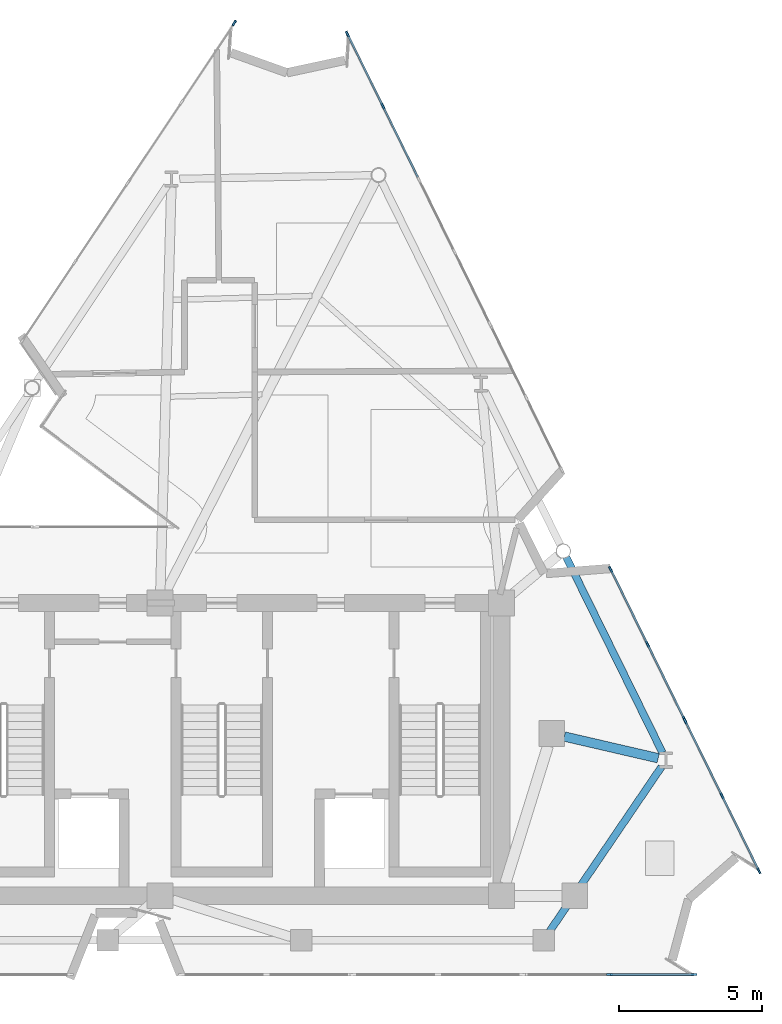
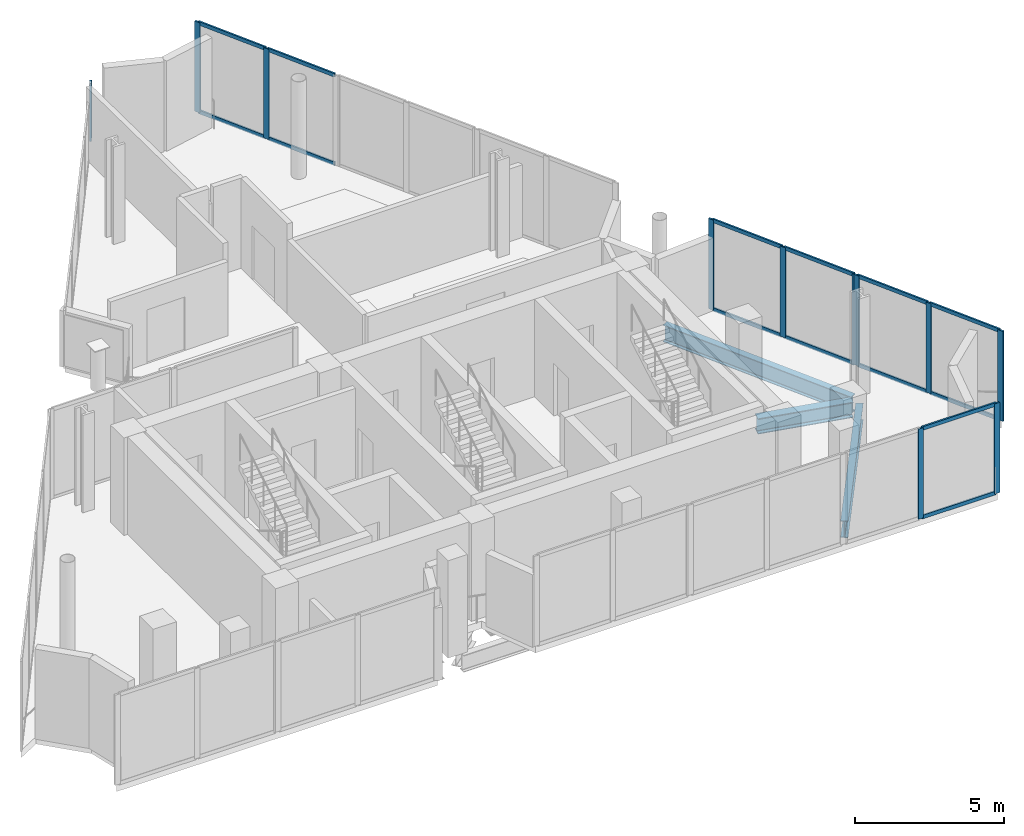
# One storey, part 4 of 9: 25 members, 3 beams, 5 elements without a shape of their own.
"""IFC4 building model written with IfcOpenShell, lengths in metres."""

from ifc_helpers import new_model, si_unit, direction, frame, origin, origin_2d, place, context, subcontext, project, spatial, rectangle, i_section, extrude, material, layer, layer_set, material_profile, profile_set, type_object, element, aggregate, save


model = new_model("IFC4")

# Units and contexts
model_context = context("Model", 3, precision=1e-05, world=origin(), true_north=direction((0.0, 1.0)))
body_context = subcontext(model_context, "Body", "Model", "MODEL_VIEW")
ifc_project = project(units=[si_unit("LENGTHUNIT", "METRE"), si_unit("AREAUNIT", "SQUARE_METRE"), si_unit("VOLUMEUNIT", "CUBIC_METRE"), si_unit("PLANEANGLEUNIT", "RADIAN"), si_unit("MASSUNIT", "GRAM", prefix="KILO")], contexts=[model_context])

# Site, building, storey
site_placement = place(None, origin())
site = spatial("IfcSite", under=ifc_project, at=site_placement, CompositionType="ELEMENT")
building_placement = place(site_placement, origin())
building = spatial("IfcBuilding", under=site, at=building_placement, Name="Almagre Mirador Tower", CompositionType="ELEMENT")
storey_placement = place(building_placement, frame((0.0, 0.0, 314.5)))
storey = spatial("IfcBuildingStorey", under=building, at=storey_placement, Name="L81", CompositionType="ELEMENT", Elevation=314.5)

# Beams
ifc_material_1 = material(Name="Steel ASTM A992 Grade 50", Category="steel")
ifc_material_profile_1 = material_profile(ifc_material_1, i_section(OverallWidth=0.256103515625, OverallDepth=0.693115234375, WebThickness=0.014404296875, FlangeThickness=0.023681640625, FilletRadius=0.02197265625, at=origin_2d()), Name="W27X114")
ifc_profile_set_1 = profile_set([ifc_material_profile_1], Name="Steel ASTM A992 Grade 50")
beam_type_1 = type_object("IfcBeamType", Name="BM-SPN-W27X114", PredefinedType="SPANDREL", material=ifc_profile_set_1)
beam_1_placement = place(storey_placement, frame((48.726806640625, 3.31005859375, -0.646484375), z_axis=(0.562316764755, 0.826921916553, 0.0), x_axis=(-0.826921916553, 0.562316764755, 0.0)))
element("IfcBeam", 1, at=beam_1_placement, inside=storey, type_object=beam_type_1, Name="L81 perimeter spandrel beam PC04-PC05", PredefinedType="SPANDREL", context=body_context, shape_type="SweptSolid", body=[
    extrude(i_section(OverallWidth=0.256103515625, OverallDepth=0.693115234375, WebThickness=0.014404296875, FlangeThickness=0.023681640625, FilletRadius=0.02197265625, at=origin_2d()), origin(), (0.0, 0.0, 1.0), 6.931884765625),
])
beam_2_placement = place(storey_placement, frame((52.6591796875, 9.53369140625, -0.646484375), z_axis=(-0.441286188915, 0.897366424306, 0.0), x_axis=(-0.897366424306, -0.441286188915, 0.0)))
element("IfcBeam", 2, at=beam_2_placement, inside=storey, type_object=beam_type_1, Name="L81 perimeter spandrel beam PC05-PC06", PredefinedType="SPANDREL", context=body_context, shape_type="SweptSolid", body=[
    extrude(i_section(OverallWidth=0.256103515625, OverallDepth=0.693115234375, WebThickness=0.014404296875, FlangeThickness=0.023681640625, FilletRadius=0.02197265625, at=origin_2d()), origin(), (0.0, 0.0, 1.0), 7.607666015625),
])
ifc_material_2 = material(Name="Steel ASTM A992 Grade 50", Category="steel")
ifc_material_profile_2 = material_profile(ifc_material_2, i_section(OverallWidth=0.330078125, OverallDepth=0.635009765625, WebThickness=0.017822265625, FlangeThickness=0.031005859375, FilletRadius=0.02001953125, at=origin_2d()), Name="W24X162")
ifc_profile_set_2 = profile_set([ifc_material_profile_2], Name="Steel ASTM A992 Grade 50")
beam_type_2 = type_object("IfcBeamType", Name="BM-STL-W24X162", PredefinedType="BEAM", material=ifc_profile_set_2)
beam_3_placement = place(storey_placement, frame((52.50732421875, 9.34228515625, -0.617431640625), z_axis=(-0.974263503656, 0.225412123549, 0.0), x_axis=(-0.225412123549, -0.974263503656, 0.0)))
element("IfcBeam", 3, at=beam_3_placement, inside=storey, type_object=beam_type_2, Name="L81 radial floor girder PC05-MC3", PredefinedType="BEAM", context=body_context, shape_type="SweptSolid", body=[
    extrude(i_section(OverallWidth=0.330078125, OverallDepth=0.635009765625, WebThickness=0.017822265625, FlangeThickness=0.031005859375, FilletRadius=0.02001953125, at=origin_2d()), origin(), (0.0, 0.0, 1.0), 3.35546875),
])

# Curtain wall, member
ifc_material_3 = material(Name="Black anodized aluminium", Category="aluminium")
ifc_layer = layer(ifc_material_3, 0.2099609375)
ifc_layer_set = layer_set([ifc_layer], Name="Black anodized aluminium")
curtain_wall_type = type_object("IfcCurtainWallType", Name="CW-CRN-SYS", PredefinedType="NOTDEFINED", material=ifc_layer_set)
curtain_wall_1_placement = place(storey_placement, origin())
curtain_wall_1 = element("IfcCurtainWall", 4, at=curtain_wall_1_placement, inside=storey, type_object=curtain_wall_type, Name="L81 curtain wall run 06", PredefinedType="NOTDEFINED")
ifc_material_4 = material(Name="Black anodized aluminium", Category="aluminium")
ifc_material_profile_3 = material_profile(ifc_material_4, rectangle(XDim=0.070068359375, YDim=0.2099609375, at=origin_2d()), Name="CWM70X210")
ifc_profile_set_3 = profile_set([ifc_material_profile_3], Name="Black anodized aluminium")
member_type_1 = type_object("IfcMemberType", Name="MBR-CWM70X210", PredefinedType="MULLION", material=ifc_profile_set_3)
member_1_placement = place(storey_placement, frame((37.737060546875, 34.960205078125, 0.0), z_axis=(0.0, 0.0, 1.0), x_axis=(-0.831708016345, 0.555213270328, 0.0)))
member_1 = element("IfcMember", 5, at=member_1_placement, type_object=member_type_1, Name="CW-6 mullion 3", PredefinedType="MULLION", context=body_context, shape_type="SweptSolid", body=[
    extrude(rectangle(XDim=0.070068359375, YDim=0.2099609375, at=origin_2d()), origin(), (0.0, 0.0, 1.0), 2.3798828125),
])
aggregate(curtain_wall_1, [member_1])

# Curtain wall, members
curtain_wall_2_placement = place(storey_placement, origin())
curtain_wall_2 = element("IfcCurtainWall", 6, at=curtain_wall_2_placement, inside=storey, type_object=curtain_wall_type, Name="L81 curtain wall run 07", PredefinedType="NOTDEFINED")
member_2_placement = place(storey_placement, frame((41.6806640625, 34.579345703125, 0.0), z_axis=(0.0, 0.0, 1.0), x_axis=(0.897374500891, 0.441269764601, 0.0)))
member_2 = element("IfcMember", 7, at=member_2_placement, type_object=member_type_1, Name="CW-6 mullion 1", PredefinedType="MULLION", context=body_context, shape_type="SweptSolid", body=[
    extrude(rectangle(XDim=0.070068359375, YDim=0.2099609375, at=origin_2d()), origin(), (0.0, 0.0, 1.0), 3.699951171875),
])
member_3_placement = place(storey_placement, frame((42.914306640625, 32.0703125, 0.0), z_axis=(0.0, 0.0, 1.0), x_axis=(0.897374500891, 0.441269764601, 0.0)))
member_3 = element("IfcMember", 8, at=member_3_placement, type_object=member_type_1, Name="CW-6 mullion 2", PredefinedType="MULLION", context=body_context, shape_type="SweptSolid", body=[
    extrude(rectangle(XDim=0.070068359375, YDim=0.2099609375, at=origin_2d()), origin(), (0.0, 0.0, 1.0), 3.699951171875),
])

curtain_wall_3_placement = place(storey_placement, origin())
curtain_wall_3 = element("IfcCurtainWall", 9, at=curtain_wall_3_placement, inside=storey, type_object=curtain_wall_type, Name="L81 curtain wall run 10", PredefinedType="NOTDEFINED")
member_4_placement = place(storey_placement, frame((50.853515625, 15.92529296875, 0.0), z_axis=(0.0, 0.0, 1.0), x_axis=(0.897362755579, 0.441293649286, 0.0)))
member_4 = element("IfcMember", 10, at=member_4_placement, type_object=member_type_1, Name="CW-6 mullion 1", PredefinedType="MULLION", context=body_context, shape_type="SweptSolid", body=[
    extrude(rectangle(XDim=0.070068359375, YDim=0.2099609375, at=origin_2d()), origin(), (0.0, 0.0, 1.0), 3.699951171875),
])
member_5_placement = place(storey_placement, frame((52.13720703125, 13.31494140625, 0.0), z_axis=(0.0, 0.0, 1.0), x_axis=(0.897362755579, 0.441293649286, 0.0)))
member_5 = element("IfcMember", 11, at=member_5_placement, type_object=member_type_1, Name="CW-6 mullion 2", PredefinedType="MULLION", context=body_context, shape_type="SweptSolid", body=[
    extrude(rectangle(XDim=0.070068359375, YDim=0.2099609375, at=origin_2d()), origin(), (0.0, 0.0, 1.0), 3.699951171875),
])
member_6_placement = place(storey_placement, frame((53.421142578125, 10.704345703125, 0.0), z_axis=(0.0, 0.0, 1.0), x_axis=(0.897362755579, 0.441293649286, 0.0)))
member_6 = element("IfcMember", 12, at=member_6_placement, type_object=member_type_1, Name="CW-6 mullion 3", PredefinedType="MULLION", context=body_context, shape_type="SweptSolid", body=[
    extrude(rectangle(XDim=0.070068359375, YDim=0.2099609375, at=origin_2d()), origin(), (0.0, 0.0, 1.0), 3.699951171875),
])

curtain_wall_4_placement = place(storey_placement, origin())
curtain_wall_4 = element("IfcCurtainWall", 13, at=curtain_wall_4_placement, inside=storey, type_object=curtain_wall_type, Name="L81 curtain wall run 11", PredefinedType="NOTDEFINED")
member_7_placement = place(storey_placement, frame((53.451904296875, 10.6416015625, 0.0), z_axis=(0.0, 0.0, 1.0), x_axis=(0.897362755579, 0.441293649286, 0.0)))
member_7 = element("IfcMember", 14, at=member_7_placement, type_object=member_type_1, Name="CW-6 mullion 1", PredefinedType="MULLION", context=body_context, shape_type="SweptSolid", body=[
    extrude(rectangle(XDim=0.070068359375, YDim=0.2099609375, at=origin_2d()), origin(), (0.0, 0.0, 1.0), 3.699951171875),
])
member_8_placement = place(storey_placement, frame((54.735595703125, 8.031005859375, 0.0), z_axis=(0.0, 0.0, 1.0), x_axis=(0.897362755579, 0.441293649286, 0.0)))
member_8 = element("IfcMember", 15, at=member_8_placement, type_object=member_type_1, Name="CW-6 mullion 2", PredefinedType="MULLION", context=body_context, shape_type="SweptSolid", body=[
    extrude(rectangle(XDim=0.070068359375, YDim=0.2099609375, at=origin_2d()), origin(), (0.0, 0.0, 1.0), 3.699951171875),
])
member_9_placement = place(storey_placement, frame((56.01953125, 5.420654296875, 0.0), z_axis=(0.0, 0.0, 1.0), x_axis=(0.897362755579, 0.441293649286, 0.0)))
member_9 = element("IfcMember", 16, at=member_9_placement, type_object=member_type_1, Name="CW-6 mullion 3", PredefinedType="MULLION", context=body_context, shape_type="SweptSolid", body=[
    extrude(rectangle(XDim=0.070068359375, YDim=0.2099609375, at=origin_2d()), origin(), (0.0, 0.0, 1.0), 3.699951171875),
])

curtain_wall_5_placement = place(storey_placement, origin())
curtain_wall_5 = element("IfcCurtainWall", 17, at=curtain_wall_5_placement, inside=storey, type_object=curtain_wall_type, Name="L81 curtain wall run 12", PredefinedType="NOTDEFINED")
member_10_placement = place(storey_placement, frame((53.764892578125, 1.800048828125, 0.0), z_axis=(0.0, 0.0, 1.0), x_axis=(0.0, -1.0, 0.0)))
member_10 = element("IfcMember", 18, at=member_10_placement, type_object=member_type_1, Name="CW-6 mullion 1", PredefinedType="MULLION", context=body_context, shape_type="SweptSolid", body=[
    extrude(rectangle(XDim=0.070068359375, YDim=0.2099609375, at=origin_2d()), origin(), (0.0, 0.0, 1.0), 3.699951171875),
])
member_11_placement = place(storey_placement, frame((50.810546875, 1.800048828125, 0.0), z_axis=(0.0, 0.0, 1.0), x_axis=(0.0, -1.0, 0.0)))
member_11 = element("IfcMember", 19, at=member_11_placement, type_object=member_type_1, Name="CW-6 mullion 2", PredefinedType="MULLION", context=body_context, shape_type="SweptSolid", body=[
    extrude(rectangle(XDim=0.070068359375, YDim=0.2099609375, at=origin_2d()), origin(), (0.0, 0.0, 1.0), 3.699951171875),
])

# Member
ifc_material_5 = material(Name="Black anodized aluminium", Category="aluminium")
ifc_material_profile_4 = material_profile(ifc_material_5, rectangle(XDim=0.06494140625, YDim=0.14990234375, at=origin_2d()), Name="CWT65X150")
ifc_profile_set_4 = profile_set([ifc_material_profile_4], Name="Black anodized aluminium")
member_type_2 = type_object("IfcMemberType", Name="MBR-CWT65X150", PredefinedType="USERDEFINED", material=ifc_profile_set_4)
member_12_placement = place(storey_placement, frame((41.696044921875, 34.548095703125, 0.032470703125), z_axis=(0.441221535416, -0.897398215223, 0.0), x_axis=(0.897398215223, 0.441221535416, 0.0)))
member_12 = element("IfcMember", 20, at=member_12_placement, type_object=member_type_2, Name="CW-6 transom 1.1", ObjectType="TRANSOM", PredefinedType="USERDEFINED", context=body_context, shape_type="SweptSolid", body=[
    extrude(rectangle(XDim=0.06494140625, YDim=0.14990234375, at=origin_2d()), origin(), (0.0, 0.0, 1.0), 2.726318359375),
])

member_13_placement = place(storey_placement, frame((41.696044921875, 34.548095703125, 3.66748046875), z_axis=(0.441221535416, -0.897398215223, 0.0), x_axis=(0.897398215223, 0.441221535416, 0.0)))
member_13 = element("IfcMember", 21, at=member_13_placement, type_object=member_type_2, Name="CW-6 transom 1.2", ObjectType="TRANSOM", PredefinedType="USERDEFINED", context=body_context, shape_type="SweptSolid", body=[
    extrude(rectangle(XDim=0.06494140625, YDim=0.14990234375, at=origin_2d()), origin(), (0.0, 0.0, 1.0), 2.726318359375),
])

member_14_placement = place(storey_placement, frame((42.929931640625, 32.038818359375, 0.032470703125), z_axis=(0.441256996069, -0.897380779502, 0.0), x_axis=(0.897380779502, 0.441256996069, 0.0)))
member_14 = element("IfcMember", 22, at=member_14_placement, type_object=member_type_2, Name="CW-6 transom 2.1", ObjectType="TRANSOM", PredefinedType="USERDEFINED", context=body_context, shape_type="SweptSolid", body=[
    extrude(rectangle(XDim=0.06494140625, YDim=0.14990234375, at=origin_2d()), origin(), (0.0, 0.0, 1.0), 2.72607421875),
])

member_15_placement = place(storey_placement, frame((42.929931640625, 32.038818359375, 3.66748046875), z_axis=(0.441256996069, -0.897380779502, 0.0), x_axis=(0.897380779502, 0.441256996069, 0.0)))
member_15 = element("IfcMember", 23, at=member_15_placement, type_object=member_type_2, Name="CW-6 transom 2.2", ObjectType="TRANSOM", PredefinedType="USERDEFINED", context=body_context, shape_type="SweptSolid", body=[
    extrude(rectangle(XDim=0.06494140625, YDim=0.14990234375, at=origin_2d()), origin(), (0.0, 0.0, 1.0), 2.72607421875),
])

aggregate(curtain_wall_2, [member_2, member_3, member_12, member_13, member_14, member_15])

member_16_placement = place(storey_placement, frame((50.868896484375, 15.89404296875, 0.032470703125), z_axis=(0.441287872752, -0.897365596266, 0.0), x_axis=(0.897365596266, 0.441287872752, 0.0)))
member_16 = element("IfcMember", 24, at=member_16_placement, type_object=member_type_2, Name="CW-6 transom 1.1", ObjectType="TRANSOM", PredefinedType="USERDEFINED", context=body_context, shape_type="SweptSolid", body=[
    extrude(rectangle(XDim=0.06494140625, YDim=0.14990234375, at=origin_2d()), origin(), (0.0, 0.0, 1.0), 2.83935546875),
])

member_17_placement = place(storey_placement, frame((50.868896484375, 15.89404296875, 3.66748046875), z_axis=(0.441287872752, -0.897365596266, 0.0), x_axis=(0.897365596266, 0.441287872752, 0.0)))
member_17 = element("IfcMember", 25, at=member_17_placement, type_object=member_type_2, Name="CW-6 transom 1.2", ObjectType="TRANSOM", PredefinedType="USERDEFINED", context=body_context, shape_type="SweptSolid", body=[
    extrude(rectangle(XDim=0.06494140625, YDim=0.14990234375, at=origin_2d()), origin(), (0.0, 0.0, 1.0), 2.83935546875),
])

member_18_placement = place(storey_placement, frame((52.15283203125, 13.283447265625, 0.032470703125), z_axis=(0.441252676388, -0.897382903548, 0.0), x_axis=(0.897382903548, 0.441252676388, 0.0)))
member_18 = element("IfcMember", 26, at=member_18_placement, type_object=member_type_2, Name="CW-6 transom 2.1", ObjectType="TRANSOM", PredefinedType="USERDEFINED", context=body_context, shape_type="SweptSolid", body=[
    extrude(rectangle(XDim=0.06494140625, YDim=0.14990234375, at=origin_2d()), origin(), (0.0, 0.0, 1.0), 2.8388671875),
])

member_19_placement = place(storey_placement, frame((52.15283203125, 13.283447265625, 3.66748046875), z_axis=(0.441252676388, -0.897382903548, 0.0), x_axis=(0.897382903548, 0.441252676388, 0.0)))
member_19 = element("IfcMember", 27, at=member_19_placement, type_object=member_type_2, Name="CW-6 transom 2.2", ObjectType="TRANSOM", PredefinedType="USERDEFINED", context=body_context, shape_type="SweptSolid", body=[
    extrude(rectangle(XDim=0.06494140625, YDim=0.14990234375, at=origin_2d()), origin(), (0.0, 0.0, 1.0), 2.8388671875),
])

aggregate(curtain_wall_3, [member_4, member_5, member_6, member_16, member_17, member_18, member_19])

member_20_placement = place(storey_placement, frame((53.46728515625, 10.610107421875, 0.032470703125), z_axis=(0.441321925817, -0.897348849552, 0.0), x_axis=(0.897348849552, 0.441321925817, 0.0)))
member_20 = element("IfcMember", 28, at=member_20_placement, type_object=member_type_2, Name="CW-6 transom 1.1", ObjectType="TRANSOM", PredefinedType="USERDEFINED", context=body_context, shape_type="SweptSolid", body=[
    extrude(rectangle(XDim=0.06494140625, YDim=0.14990234375, at=origin_2d()), origin(), (0.0, 0.0, 1.0), 2.839111328125),
])

member_21_placement = place(storey_placement, frame((53.46728515625, 10.610107421875, 3.66748046875), z_axis=(0.441321925817, -0.897348849552, 0.0), x_axis=(0.897348849552, 0.441321925817, 0.0)))
member_21 = element("IfcMember", 29, at=member_21_placement, type_object=member_type_2, Name="CW-6 transom 1.2", ObjectType="TRANSOM", PredefinedType="USERDEFINED", context=body_context, shape_type="SweptSolid", body=[
    extrude(rectangle(XDim=0.06494140625, YDim=0.14990234375, at=origin_2d()), origin(), (0.0, 0.0, 1.0), 2.839111328125),
])

member_22_placement = place(storey_placement, frame((54.751220703125, 7.999755859375, 0.032470703125), z_axis=(0.441218626082, -0.897399645642, 0.0), x_axis=(0.897399645642, 0.441218626082, 0.0)))
member_22 = element("IfcMember", 30, at=member_22_placement, type_object=member_type_2, Name="CW-6 transom 2.1", ObjectType="TRANSOM", PredefinedType="USERDEFINED", context=body_context, shape_type="SweptSolid", body=[
    extrude(rectangle(XDim=0.06494140625, YDim=0.14990234375, at=origin_2d()), origin(), (0.0, 0.0, 1.0), 2.839111328125),
])

member_23_placement = place(storey_placement, frame((54.751220703125, 7.999755859375, 3.66748046875), z_axis=(0.441218626082, -0.897399645642, 0.0), x_axis=(0.897399645642, 0.441218626082, 0.0)))
member_23 = element("IfcMember", 31, at=member_23_placement, type_object=member_type_2, Name="CW-6 transom 2.2", ObjectType="TRANSOM", PredefinedType="USERDEFINED", context=body_context, shape_type="SweptSolid", body=[
    extrude(rectangle(XDim=0.06494140625, YDim=0.14990234375, at=origin_2d()), origin(), (0.0, 0.0, 1.0), 2.839111328125),
])

aggregate(curtain_wall_4, [member_7, member_8, member_9, member_20, member_21, member_22, member_23])

member_24_placement = place(storey_placement, frame((53.729736328125, 1.800048828125, 0.032470703125), z_axis=(-1.0, 0.0, 0.0), x_axis=(0.0, -1.0, 0.0)))
member_24 = element("IfcMember", 32, at=member_24_placement, type_object=member_type_2, Name="CW-6 transom 1.1", ObjectType="TRANSOM", PredefinedType="USERDEFINED", context=body_context, shape_type="SweptSolid", body=[
    extrude(rectangle(XDim=0.06494140625, YDim=0.14990234375, at=origin_2d()), origin(), (0.0, 0.0, 1.0), 2.88427734375),
])

member_25_placement = place(storey_placement, frame((53.729736328125, 1.800048828125, 3.66748046875), z_axis=(-1.0, 0.0, 0.0), x_axis=(0.0, -1.0, 0.0)))
member_25 = element("IfcMember", 33, at=member_25_placement, type_object=member_type_2, Name="CW-6 transom 1.2", ObjectType="TRANSOM", PredefinedType="USERDEFINED", context=body_context, shape_type="SweptSolid", body=[
    extrude(rectangle(XDim=0.06494140625, YDim=0.14990234375, at=origin_2d()), origin(), (0.0, 0.0, 1.0), 2.88427734375),
])

aggregate(curtain_wall_5, [member_10, member_11, member_24, member_25])

save(model, "model.ifc")
